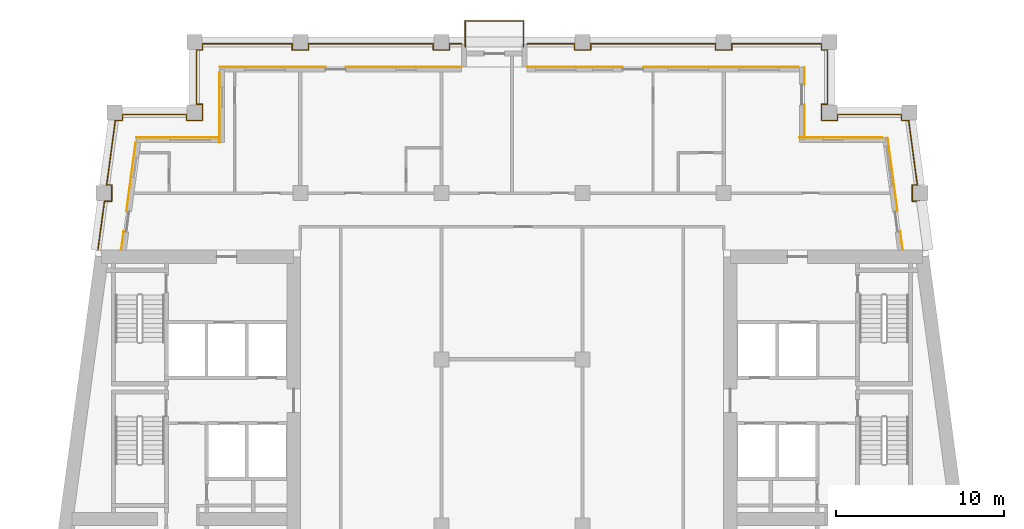
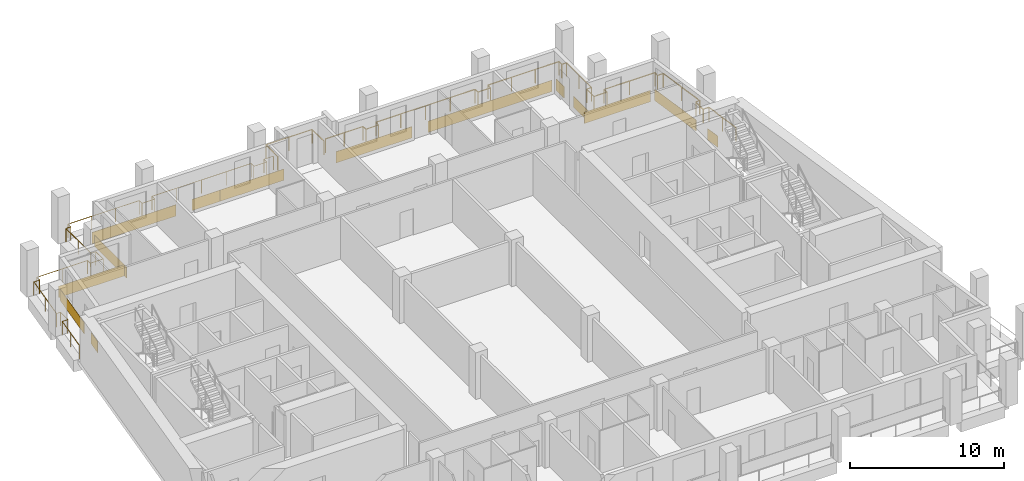
# One storey, part 11 of 12: 14 coverings, 3 railings.
"""IFC4 building model written with IfcOpenShell, lengths in metres."""

import ifcopenshell
import ifcopenshell.guid

model = None  # the IFC model being written
_history = None  # IfcOwnerHistory: only IFC2X3 demands one
_inside = {}  # id of a spatial element -> (the spatial element, [elements in it])
_under = {}  # id of a project, library or spatial element -> (it, [spatial elements below it])
_declared = {}  # id of a project -> (the project, [libraries it declares])
_typed = {}  # id of a type object -> (the type object, [elements of that type])
_made_of = {}  # id of a material, layer set ... -> (it, [elements and type objects made of it])


def new_model(schema):
    """Start an empty IFC model of exactly this schema.

    Asked for "IFC4X3", IfcOpenShell would pick the latest addendum, in which some entities
    have other attributes; the version numbers below select the first issue.
    IFC2X3 requires an IfcOwnerHistory on every rooted entity: one is made here for all.
    """
    global model, _history
    if schema == "IFC4X3":
        model = ifcopenshell.file(schema_version=(4, 3, 0, 0))
    else:
        model = ifcopenshell.file(schema=schema)
    _inside.clear()
    _under.clear()
    _declared.clear()
    _typed.clear()
    _made_of.clear()
    _history = None
    if model.schema == "IFC2X3":
        org = make("IfcOrganization", Name="unknown")
        user = make(
            "IfcPersonAndOrganization",
            ThePerson=make("IfcPerson", FamilyName="unknown"),
            TheOrganization=org,
        )
        app = make(
            "IfcApplication",
            ApplicationDeveloper=org,
            Version="unknown",
            ApplicationFullName="unknown",
            ApplicationIdentifier="unknown",
        )
        _history = make(
            "IfcOwnerHistory",
            OwningUser=user,
            OwningApplication=app,
            ChangeAction="ADDED",
            CreationDate=0,
        )
    return model


def make(cls, **values):
    """One entity of the class cls with the attributes given. An attribute that is None is left unset."""
    return model.create_entity(
        cls, **{name: value for name, value in values.items() if value is not None}
    )


def rooted(cls, **values):
    """An entity with a GlobalId (a new one), such as an element, a storey or a relation."""
    return make(cls, GlobalId=ifcopenshell.guid.new(), OwnerHistory=_history, **values)


def si_unit(unit_type, name, prefix=None):
    """IfcSIUnit, for example si_unit("LENGTHUNIT", "METRE", prefix="MILLI")."""
    return make("IfcSIUnit", UnitType=unit_type, Prefix=prefix, Name=name)


def assignment(units):
    """IfcUnitAssignment: the units of a project."""
    return None if units is None else make("IfcUnitAssignment", Units=units)


def point(xyz):
    """IfcCartesianPoint."""
    return None if xyz is None else make("IfcCartesianPoint", Coordinates=xyz)


def direction(xyz):
    """IfcDirection."""
    return None if xyz is None else make("IfcDirection", DirectionRatios=xyz)


def frame(location, z_axis=None, x_axis=None):
    """IfcAxis2Placement3D, a coordinate frame: its origin and axes. An axis left out is left unset."""
    return make(
        "IfcAxis2Placement3D",
        Location=point(location),
        Axis=direction(z_axis),
        RefDirection=direction(x_axis),
    )


def frame_2d(location, x_axis=None):
    """IfcAxis2Placement2D, a coordinate frame in the plane: its origin and x axis."""
    return make(
        "IfcAxis2Placement2D", Location=point(location), RefDirection=direction(x_axis)
    )


def origin():
    """The frame at (0, 0, 0) with its axes left unset."""
    return frame((0.0, 0.0, 0.0))


def origin_2d():
    """The frame at (0, 0) in the plane with its x axis left unset."""
    return frame_2d((0.0, 0.0))


def place(relative_to, where):
    """IfcLocalPlacement: puts the frame where relative to a parent placement (None: the world)."""
    return make(
        "IfcLocalPlacement", PlacementRelTo=relative_to, RelativePlacement=where
    )


def context(
    kind, dimensions, precision=None, world=None, true_north=None, identifier=None
):
    """IfcGeometricRepresentationContext, for example the 3D "Model" context."""
    return make(
        "IfcGeometricRepresentationContext",
        ContextIdentifier=identifier,
        ContextType=kind,
        CoordinateSpaceDimension=dimensions,
        Precision=precision,
        WorldCoordinateSystem=world,
        TrueNorth=true_north,
    )


def subcontext(parent, identifier, kind, view, scale=None):
    """IfcGeometricRepresentationSubContext, for example "Body" below "Model"."""
    return make(
        "IfcGeometricRepresentationSubContext",
        ContextIdentifier=identifier,
        ContextType=kind,
        ParentContext=parent,
        TargetScale=scale,
        TargetView=view,
    )


def project(units=None, contexts=None):
    """IfcProject with its units and contexts."""
    return rooted(
        "IfcProject",
        Name="project",
        RepresentationContexts=contexts,
        UnitsInContext=assignment(units),
    )


def spatial(cls, under=None, at=None, **own):
    """A site, building, storey or space (cls), placed at a placement, below another one or the project."""
    s = rooted(cls, ObjectPlacement=at, **own)
    if under is not None:
        _under.setdefault(under.id(), (under, []))[1].append(s)
    return s


def profile(cls, at=None, kind="AREA", **sizes):
    """A parametric profile (cls). Its sizes go by their IFC names, for example OverallWidth=200.0."""
    return make(cls, ProfileType=kind, Position=at, **sizes)


def rectangle(**sizes):
    """IfcRectangleProfileDef."""
    return profile("IfcRectangleProfileDef", **sizes)


def circle(**sizes):
    """IfcCircleProfileDef."""
    return profile("IfcCircleProfileDef", **sizes)


def extrude(swept, where, along, depth):
    """IfcExtrudedAreaSolid: the profile swept, set in the frame where, extruded along a direction by depth."""
    return make(
        "IfcExtrudedAreaSolid",
        SweptArea=swept,
        Position=where,
        ExtrudedDirection=direction(along),
        Depth=depth,
    )


def shape(context_of_items, identifier, shape_type, items):
    """IfcShapeRepresentation: the items that make up one representation, for example the "Body"."""
    return make(
        "IfcShapeRepresentation",
        ContextOfItems=context_of_items,
        RepresentationIdentifier=identifier,
        RepresentationType=shape_type,
        Items=items,
    )


def material(Name=None, Category=None):
    """IfcMaterial."""
    return make("IfcMaterial", Name=Name, Category=Category)


def layer(
    of_material, thickness, ventilated=None, Name=None, Category=None, Priority=None
):
    """IfcMaterialLayer: one layer of a wall or slab, of a material (None: an air gap)."""
    return make(
        "IfcMaterialLayer",
        Material=of_material,
        LayerThickness=thickness,
        IsVentilated=ventilated,
        Name=Name,
        Category=Category,
        Priority=Priority,
    )


def layer_set(layers, Name=None):
    """IfcMaterialLayerSet."""
    return make("IfcMaterialLayerSet", MaterialLayers=layers, LayerSetName=Name)


def made_of(thing, what):
    """Note that an element or type object is made of a material, layer set ...; save() writes the relation."""
    if what is not None:
        _made_of.setdefault(what.id(), (what, []))[1].append(thing)
    return thing


def type_object(cls, material=None, **own):
    """A type object (cls), such as IfcWallType, which elements share."""
    return made_of(rooted(cls, **own), material)


def element(
    cls,
    number,
    at=None,
    inside=None,
    cuts=None,
    type_object=None,
    material=None,
    context=None,
    identifier="Body",
    shape_type=None,
    held_by="IfcProductDefinitionShape",
    body=None,
    shapes=None,
    **own,
):
    """One element of the class cls, such as IfcWall. Its Tag is "e" and its number.

    at: its placement. inside: the storey or other place that contains it. cuts: it is an
    opening in that element (IfcRelVoidsElement). A single representation is given by context,
    identifier, shape_type and body (its items); several are given by shapes. held_by: the class
    of the entity that holds the representations. save() writes the other relations.
    """
    e = rooted(cls, Tag="e%d" % number, ObjectPlacement=at, **own)
    if body is not None:
        shapes = [shape(context, identifier, shape_type, body)]
    if shapes is not None:
        e.Representation = make(held_by, Representations=shapes)
    if inside is not None:
        _inside.setdefault(inside.id(), (inside, []))[1].append(e)
    if cuts is not None:
        rooted(
            "IfcRelVoidsElement", RelatingBuildingElement=cuts, RelatedOpeningElement=e
        )
    if type_object is not None:
        _typed.setdefault(type_object.id(), (type_object, []))[1].append(e)
    return made_of(e, material)


def aggregate(whole, parts):
    """IfcRelAggregates: a whole, such as a stair, and the parts it consists of."""
    return rooted("IfcRelAggregates", RelatingObject=whole, RelatedObjects=parts)


def save(model, path):
    """Write the relations noted so far, then the file.

    IfcRelAggregates (storeys below a building ...), IfcRelContainedInSpatialStructure (elements
    in a storey), IfcRelDefinesByType, IfcRelAssociatesMaterial and IfcRelDeclares: one each for
    every whole, place, type object, material and project.
    """
    for whole, parts in _under.values():
        aggregate(whole, parts)
    for where, things in _inside.values():
        rooted(
            "IfcRelContainedInSpatialStructure",
            RelatedElements=things,
            RelatingStructure=where,
        )
    for kind, things in _typed.values():
        rooted("IfcRelDefinesByType", RelatedObjects=things, RelatingType=kind)
    for what, things in _made_of.values():
        rooted("IfcRelAssociatesMaterial", RelatedObjects=things, RelatingMaterial=what)
    for by, libraries in _declared.values():
        rooted("IfcRelDeclares", RelatingContext=by, RelatedDefinitions=libraries)
    model.write(path)


model = new_model("IFC4")

# Units and contexts
model_context = context("Model", 3, precision=1e-05, world=origin(), true_north=direction((0.0, 1.0)))
body_context = subcontext(model_context, "Body", "Model", "MODEL_VIEW")
ifc_project = project(units=[si_unit("LENGTHUNIT", "METRE"), si_unit("AREAUNIT", "SQUARE_METRE"), si_unit("VOLUMEUNIT", "CUBIC_METRE"), si_unit("PLANEANGLEUNIT", "RADIAN"), si_unit("MASSUNIT", "GRAM", prefix="KILO")], contexts=[model_context])

# Site, building, storey
site_placement = place(None, origin())
site = spatial("IfcSite", under=ifc_project, at=site_placement, CompositionType="ELEMENT")
building_placement = place(site_placement, origin())
building = spatial("IfcBuilding", under=site, at=building_placement, Name="Candeia Pilgrim Tower and Theatre", CompositionType="ELEMENT")
storey_placement = place(building_placement, frame((0.0, 0.0, 231.800048828125)))
storey = spatial("IfcBuildingStorey", under=building, at=storey_placement, Name="L56", CompositionType="ELEMENT", Elevation=231.800048828125)

# Railings
ifc_material_1 = material(Name="Stainless steel balustrade", Category="steel")
railing_type = type_object("IfcRailingType", Name="G1 loggia guard 1100", PredefinedType="GUARDRAIL", material=ifc_material_1)
railing_1_placement = place(storey_placement, frame((88.758544921875, 132.449951171875, 0.0)))
element("IfcRailing", 1, at=railing_1_placement, inside=storey, type_object=railing_type, Name="Guard L56.2", PredefinedType="GUARDRAIL", context=body_context, shape_type="SweptSolid", body=[
    extrude(circle(Radius=0.02392578125, at=origin_2d()), frame((0.0, 0.0, 1.076171875), z_axis=(0.133450228179, 0.991055516406, 0.0), x_axis=(-0.991055516406, 0.133450228179, 0.0)), (0.0, 0.0, 1.0), 2.89599609375),
    extrude(circle(Radius=0.02392578125, at=origin_2d()), frame((0.386474609375, 2.8701171875, 1.076171875), z_axis=(1.0, 0.0, 0.0), x_axis=(0.0, 1.0, 0.0)), (0.0, 0.0, 1.0), 0.42333984375),
    extrude(circle(Radius=0.02392578125, at=origin_2d()), frame((0.809814453125, 2.8701171875, 1.076171875), z_axis=(0.0, 1.0, 0.0), x_axis=(-1.0, 0.0, 0.0)), (0.0, 0.0, 1.0), 0.9599609375),
    extrude(circle(Radius=0.02392578125, at=origin_2d()), frame((0.809814453125, 3.830078125, 1.076171875), z_axis=(-1.0, 0.0, 0.0), x_axis=(0.0, -1.0, 0.0)), (0.0, 0.0, 1.0), 0.294189453125),
    extrude(circle(Radius=0.02392578125, at=origin_2d()), frame((0.515625, 3.830078125, 1.076171875), z_axis=(0.133389399471, 0.991063705374, 0.0), x_axis=(-0.991063705374, 0.133389399471, 0.0)), (0.0, 0.0, 1.0), 3.874755859375),
    extrude(circle(Radius=0.02392578125, at=origin_2d()), frame((1.032470703125, 7.670166015625, 1.076171875), z_axis=(1.0, 0.0, 0.0), x_axis=(0.0, 1.0, 0.0)), (0.0, 0.0, 1.0), 0.423583984375),
    extrude(circle(Radius=0.02392578125, at=origin_2d()), frame((1.4560546875, 7.670166015625, 1.076171875), z_axis=(0.0, 1.0, 0.0), x_axis=(-1.0, 0.0, 0.0)), (0.0, 0.0, 1.0), 0.35986328125),
    extrude(circle(Radius=0.02392578125, at=origin_2d()), frame((1.4560546875, 8.030029296875, 1.076171875), z_axis=(1.0, 0.0, 0.0), x_axis=(0.0, 1.0, 0.0)), (0.0, 0.0, 1.0), 3.805419921875),
    extrude(circle(Radius=0.02392578125, at=origin_2d()), frame((5.261474609375, 8.030029296875, 1.076171875), z_axis=(0.0, -1.0, 0.0), x_axis=(1.0, 0.0, 0.0)), (0.0, 0.0, 1.0), 0.35986328125),
    extrude(circle(Radius=0.02392578125, at=origin_2d()), frame((5.261474609375, 7.670166015625, 1.076171875), z_axis=(1.0, 0.0, 0.0), x_axis=(0.0, 1.0, 0.0)), (0.0, 0.0, 1.0), 0.9599609375),
    extrude(circle(Radius=0.02392578125, at=origin_2d()), frame((6.221435546875, 7.670166015625, 1.076171875), z_axis=(0.0, 1.0, 0.0), x_axis=(-1.0, 0.0, 0.0)), (0.0, 0.0, 1.0), 0.9599609375),
    extrude(circle(Radius=0.02392578125, at=origin_2d()), frame((6.221435546875, 8.630126953125, 1.076171875), z_axis=(-1.0, 0.0, 0.0), x_axis=(0.0, -1.0, 0.0)), (0.0, 0.0, 1.0), 0.35986328125),
    extrude(circle(Radius=0.02392578125, at=origin_2d()), frame((5.861572265625, 8.630126953125, 1.076171875), z_axis=(0.0, 1.0, 0.0), x_axis=(-1.0, 0.0, 0.0)), (0.0, 0.0, 1.0), 3.239990234375),
    extrude(circle(Radius=0.02392578125, at=origin_2d()), frame((5.861572265625, 11.8701171875, 1.076171875), z_axis=(1.0, 0.0, 0.0), x_axis=(0.0, 1.0, 0.0)), (0.0, 0.0, 1.0), 0.35986328125),
    extrude(circle(Radius=0.02392578125, at=origin_2d()), frame((6.221435546875, 11.8701171875, 1.076171875), z_axis=(0.0, 1.0, 0.0), x_axis=(-1.0, 0.0, 0.0)), (0.0, 0.0, 1.0), 0.35986328125),
    extrude(circle(Radius=0.02392578125, at=origin_2d()), frame((6.221435546875, 12.22998046875, 1.076171875), z_axis=(1.0, 0.0, 0.0), x_axis=(0.0, 1.0, 0.0)), (0.0, 0.0, 1.0), 5.340087890625),
    extrude(circle(Radius=0.02392578125, at=origin_2d()), frame((11.5615234375, 12.22998046875, 1.076171875), z_axis=(0.0, -1.0, 0.0), x_axis=(1.0, 0.0, 0.0)), (0.0, 0.0, 1.0), 0.35986328125),
    extrude(circle(Radius=0.02392578125, at=origin_2d()), frame((11.5615234375, 11.8701171875, 1.076171875), z_axis=(1.0, 0.0, 0.0), x_axis=(0.0, 1.0, 0.0)), (0.0, 0.0, 1.0), 0.9599609375),
    extrude(circle(Radius=0.02392578125, at=origin_2d()), frame((12.521484375, 11.8701171875, 1.076171875), z_axis=(0.0, 1.0, 0.0), x_axis=(-1.0, 0.0, 0.0)), (0.0, 0.0, 1.0), 0.35986328125),
    extrude(circle(Radius=0.02392578125, at=origin_2d()), frame((12.521484375, 12.22998046875, 1.076171875), z_axis=(1.0, 0.0, 0.0), x_axis=(0.0, 1.0, 0.0)), (0.0, 0.0, 1.0), 7.43994140625),
    extrude(circle(Radius=0.02392578125, at=origin_2d()), frame((19.96142578125, 12.22998046875, 1.076171875), z_axis=(0.0, -1.0, 0.0), x_axis=(1.0, 0.0, 0.0)), (0.0, 0.0, 1.0), 0.35986328125),
    extrude(circle(Radius=0.02392578125, at=origin_2d()), frame((19.96142578125, 11.8701171875, 1.076171875), z_axis=(1.0, 0.0, 0.0), x_axis=(0.0, 1.0, 0.0)), (0.0, 0.0, 1.0), 0.9599609375),
    extrude(circle(Radius=0.02392578125, at=origin_2d()), frame((20.92138671875, 11.8701171875, 1.076171875), z_axis=(0.0, 1.0, 0.0), x_axis=(-1.0, 0.0, 0.0)), (0.0, 0.0, 1.0), 0.35986328125),
    extrude(circle(Radius=0.02392578125, at=origin_2d()), frame((20.92138671875, 12.22998046875, 1.076171875), z_axis=(1.0, 0.0, 0.0), x_axis=(0.0, 1.0, 0.0)), (0.0, 0.0, 1.0), 0.719970703125),
    extrude(circle(Radius=0.02099609375, at=origin_2d()), origin(), (0.0, 0.0, 1.0), 1.052001953125),
    extrude(circle(Radius=0.02099609375, at=origin_2d()), frame((0.193359375, 1.43505859375, 0.0)), (0.0, 0.0, 1.0), 1.052001953125),
    extrude(circle(Radius=0.02099609375, at=origin_2d()), frame((0.386474609375, 2.8701171875, 0.0)), (0.0, 0.0, 1.0), 1.052001953125),
    extrude(circle(Radius=0.02099609375, at=origin_2d()), frame((0.809814453125, 2.8701171875, 0.0)), (0.0, 0.0, 1.0), 1.052001953125),
    extrude(circle(Radius=0.02099609375, at=origin_2d()), frame((0.809814453125, 3.830078125, 0.0)), (0.0, 0.0, 1.0), 1.052001953125),
    extrude(circle(Radius=0.02099609375, at=origin_2d()), frame((0.515625, 3.830078125, 0.0)), (0.0, 0.0, 1.0), 1.052001953125),
    extrude(circle(Radius=0.02099609375, at=origin_2d()), frame((0.77392578125, 5.75, 0.0)), (0.0, 0.0, 1.0), 1.052001953125),
    extrude(circle(Radius=0.02099609375, at=origin_2d()), frame((1.032470703125, 7.670166015625, 0.0)), (0.0, 0.0, 1.0), 1.052001953125),
    extrude(circle(Radius=0.02099609375, at=origin_2d()), frame((1.4560546875, 7.670166015625, 0.0)), (0.0, 0.0, 1.0), 1.052001953125),
    extrude(circle(Radius=0.02099609375, at=origin_2d()), frame((1.4560546875, 8.030029296875, 0.0)), (0.0, 0.0, 1.0), 1.052001953125),
    extrude(circle(Radius=0.02099609375, at=origin_2d()), frame((3.35888671875, 8.030029296875, 0.0)), (0.0, 0.0, 1.0), 1.052001953125),
    extrude(circle(Radius=0.02099609375, at=origin_2d()), frame((5.261474609375, 8.030029296875, 0.0)), (0.0, 0.0, 1.0), 1.052001953125),
    extrude(circle(Radius=0.02099609375, at=origin_2d()), frame((5.261474609375, 7.670166015625, 0.0)), (0.0, 0.0, 1.0), 1.052001953125),
    extrude(circle(Radius=0.02099609375, at=origin_2d()), frame((6.221435546875, 7.670166015625, 0.0)), (0.0, 0.0, 1.0), 1.052001953125),
    extrude(circle(Radius=0.02099609375, at=origin_2d()), frame((6.221435546875, 8.630126953125, 0.0)), (0.0, 0.0, 1.0), 1.052001953125),
    extrude(circle(Radius=0.02099609375, at=origin_2d()), frame((5.861572265625, 8.630126953125, 0.0)), (0.0, 0.0, 1.0), 1.052001953125),
    extrude(circle(Radius=0.02099609375, at=origin_2d()), frame((5.861572265625, 10.25, 0.0)), (0.0, 0.0, 1.0), 1.052001953125),
    extrude(circle(Radius=0.02099609375, at=origin_2d()), frame((5.861572265625, 11.8701171875, 0.0)), (0.0, 0.0, 1.0), 1.052001953125),
    extrude(circle(Radius=0.02099609375, at=origin_2d()), frame((6.221435546875, 11.8701171875, 0.0)), (0.0, 0.0, 1.0), 1.052001953125),
    extrude(circle(Radius=0.02099609375, at=origin_2d()), frame((6.221435546875, 12.22998046875, 0.0)), (0.0, 0.0, 1.0), 1.052001953125),
    extrude(circle(Radius=0.02099609375, at=origin_2d()), frame((8.00146484375, 12.22998046875, 0.0)), (0.0, 0.0, 1.0), 1.052001953125),
    extrude(circle(Radius=0.02099609375, at=origin_2d()), frame((9.781494140625, 12.22998046875, 0.0)), (0.0, 0.0, 1.0), 1.052001953125),
    extrude(circle(Radius=0.02099609375, at=origin_2d()), frame((11.5615234375, 12.22998046875, 0.0)), (0.0, 0.0, 1.0), 1.052001953125),
    extrude(circle(Radius=0.02099609375, at=origin_2d()), frame((11.5615234375, 11.8701171875, 0.0)), (0.0, 0.0, 1.0), 1.052001953125),
    extrude(circle(Radius=0.02099609375, at=origin_2d()), frame((12.521484375, 11.8701171875, 0.0)), (0.0, 0.0, 1.0), 1.052001953125),
    extrude(circle(Radius=0.02099609375, at=origin_2d()), frame((12.521484375, 12.22998046875, 0.0)), (0.0, 0.0, 1.0), 1.052001953125),
    extrude(circle(Radius=0.02099609375, at=origin_2d()), frame((14.38134765625, 12.22998046875, 0.0)), (0.0, 0.0, 1.0), 1.052001953125),
    extrude(circle(Radius=0.02099609375, at=origin_2d()), frame((16.241455078125, 12.22998046875, 0.0)), (0.0, 0.0, 1.0), 1.052001953125),
    extrude(circle(Radius=0.02099609375, at=origin_2d()), frame((18.1015625, 12.22998046875, 0.0)), (0.0, 0.0, 1.0), 1.052001953125),
    extrude(circle(Radius=0.02099609375, at=origin_2d()), frame((19.96142578125, 12.22998046875, 0.0)), (0.0, 0.0, 1.0), 1.052001953125),
    extrude(circle(Radius=0.02099609375, at=origin_2d()), frame((19.96142578125, 11.8701171875, 0.0)), (0.0, 0.0, 1.0), 1.052001953125),
    extrude(circle(Radius=0.02099609375, at=origin_2d()), frame((20.92138671875, 11.8701171875, 0.0)), (0.0, 0.0, 1.0), 1.052001953125),
    extrude(circle(Radius=0.02099609375, at=origin_2d()), frame((20.92138671875, 12.22998046875, 0.0)), (0.0, 0.0, 1.0), 1.052001953125),
    extrude(circle(Radius=0.02099609375, at=origin_2d()), frame((21.641357421875, 12.22998046875, 0.0)), (0.0, 0.0, 1.0), 1.052001953125),
])
railing_2_placement = place(storey_placement, frame((114.300048828125, 144.679931640625, 0.0)))
element("IfcRailing", 2, at=railing_2_placement, inside=storey, type_object=railing_type, Name="Guard L56.3", PredefinedType="GUARDRAIL", context=body_context, shape_type="SweptSolid", body=[
    extrude(circle(Radius=0.02392578125, at=origin_2d()), frame((0.0, 0.0, 1.076171875), z_axis=(1.0, 0.0, 0.0), x_axis=(0.0, 1.0, 0.0)), (0.0, 0.0, 1.0), 2.820068359375),
    extrude(circle(Radius=0.02392578125, at=origin_2d()), frame((2.820068359375, 0.0, 1.076171875), z_axis=(0.0, -1.0, 0.0), x_axis=(1.0, 0.0, 0.0)), (0.0, 0.0, 1.0), 0.35986328125),
    extrude(circle(Radius=0.02392578125, at=origin_2d()), frame((2.820068359375, -0.35986328125, 1.076171875), z_axis=(1.0, 0.0, 0.0), x_axis=(0.0, 1.0, 0.0)), (0.0, 0.0, 1.0), 0.9599609375),
    extrude(circle(Radius=0.02392578125, at=origin_2d()), frame((3.780029296875, -0.35986328125, 1.076171875), z_axis=(0.0, 1.0, 0.0), x_axis=(-1.0, 0.0, 0.0)), (0.0, 0.0, 1.0), 0.35986328125),
    extrude(circle(Radius=0.02392578125, at=origin_2d()), frame((3.780029296875, 0.0, 1.076171875), z_axis=(1.0, 0.0, 0.0), x_axis=(0.0, 1.0, 0.0)), (0.0, 0.0, 1.0), 7.43994140625),
    extrude(circle(Radius=0.02392578125, at=origin_2d()), frame((11.219970703125, 0.0, 1.076171875), z_axis=(0.0, -1.0, 0.0), x_axis=(1.0, 0.0, 0.0)), (0.0, 0.0, 1.0), 0.35986328125),
    extrude(circle(Radius=0.02392578125, at=origin_2d()), frame((11.219970703125, -0.35986328125, 1.076171875), z_axis=(1.0, 0.0, 0.0), x_axis=(0.0, 1.0, 0.0)), (0.0, 0.0, 1.0), 0.9599609375),
    extrude(circle(Radius=0.02392578125, at=origin_2d()), frame((12.179931640625, -0.35986328125, 1.076171875), z_axis=(0.0, 1.0, 0.0), x_axis=(-1.0, 0.0, 0.0)), (0.0, 0.0, 1.0), 0.35986328125),
    extrude(circle(Radius=0.02392578125, at=origin_2d()), frame((12.179931640625, 0.0, 1.076171875), z_axis=(1.0, 0.0, 0.0), x_axis=(0.0, 1.0, 0.0)), (0.0, 0.0, 1.0), 5.340087890625),
    extrude(circle(Radius=0.02392578125, at=origin_2d()), frame((17.52001953125, 0.0, 1.076171875), z_axis=(0.0, -1.0, 0.0), x_axis=(1.0, 0.0, 0.0)), (0.0, 0.0, 1.0), 0.35986328125),
    extrude(circle(Radius=0.02392578125, at=origin_2d()), frame((17.52001953125, -0.35986328125, 1.076171875), z_axis=(1.0, 0.0, 0.0), x_axis=(0.0, 1.0, 0.0)), (0.0, 0.0, 1.0), 0.35986328125),
    extrude(circle(Radius=0.02392578125, at=origin_2d()), frame((17.8798828125, -0.35986328125, 1.076171875), z_axis=(0.0, -1.0, 0.0), x_axis=(1.0, 0.0, 0.0)), (0.0, 0.0, 1.0), 3.239990234375),
    extrude(circle(Radius=0.02392578125, at=origin_2d()), frame((17.8798828125, -3.599853515625, 1.076171875), z_axis=(-1.0, 0.0, 0.0), x_axis=(0.0, -1.0, 0.0)), (0.0, 0.0, 1.0), 0.35986328125),
    extrude(circle(Radius=0.02392578125, at=origin_2d()), frame((17.52001953125, -3.599853515625, 1.076171875), z_axis=(0.0, -1.0, 0.0), x_axis=(1.0, 0.0, 0.0)), (0.0, 0.0, 1.0), 0.9599609375),
    extrude(circle(Radius=0.02392578125, at=origin_2d()), frame((17.52001953125, -4.559814453125, 1.076171875), z_axis=(1.0, 0.0, 0.0), x_axis=(0.0, 1.0, 0.0)), (0.0, 0.0, 1.0), 0.9599609375),
    extrude(circle(Radius=0.02392578125, at=origin_2d()), frame((18.47998046875, -4.559814453125, 1.076171875), z_axis=(0.0, 1.0, 0.0), x_axis=(-1.0, 0.0, 0.0)), (0.0, 0.0, 1.0), 0.35986328125),
    extrude(circle(Radius=0.02392578125, at=origin_2d()), frame((18.47998046875, -4.199951171875, 1.076171875), z_axis=(1.0, 0.0, 0.0), x_axis=(0.0, 1.0, 0.0)), (0.0, 0.0, 1.0), 3.805419921875),
    extrude(circle(Radius=0.02392578125, at=origin_2d()), frame((22.285400390625, -4.199951171875, 1.076171875), z_axis=(0.0, -1.0, 0.0), x_axis=(1.0, 0.0, 0.0)), (0.0, 0.0, 1.0), 0.35986328125),
    extrude(circle(Radius=0.02392578125, at=origin_2d()), frame((22.285400390625, -4.559814453125, 1.076171875), z_axis=(1.0, 0.0, 0.0), x_axis=(0.0, 1.0, 0.0)), (0.0, 0.0, 1.0), 0.423583984375),
    extrude(circle(Radius=0.02392578125, at=origin_2d()), frame((22.708984375, -4.559814453125, 1.076171875), z_axis=(0.133389399471, -0.991063705374, 0.0), x_axis=(0.991063705374, 0.133389399471, 0.0)), (0.0, 0.0, 1.0), 3.874755859375),
    extrude(circle(Radius=0.02392578125, at=origin_2d()), frame((23.225830078125, -8.39990234375, 1.076171875), z_axis=(-1.0, 0.0, 0.0), x_axis=(0.0, -1.0, 0.0)), (0.0, 0.0, 1.0), 0.29443359375),
    extrude(circle(Radius=0.02392578125, at=origin_2d()), frame((22.931396484375, -8.39990234375, 1.076171875), z_axis=(0.0, -1.0, 0.0), x_axis=(1.0, 0.0, 0.0)), (0.0, 0.0, 1.0), 0.9599609375),
    extrude(circle(Radius=0.02392578125, at=origin_2d()), frame((22.931396484375, -9.35986328125, 1.076171875), z_axis=(1.0, 0.0, 0.0), x_axis=(0.0, 1.0, 0.0)), (0.0, 0.0, 1.0), 0.423583984375),
    extrude(circle(Radius=0.02392578125, at=origin_2d()), frame((23.35498046875, -9.35986328125, 1.076171875), z_axis=(0.133450228179, -0.991055516406, 0.0), x_axis=(0.991055516406, 0.133450228179, 0.0)), (0.0, 0.0, 1.0), 2.89599609375),
    extrude(circle(Radius=0.02099609375, at=origin_2d()), origin(), (0.0, 0.0, 1.0), 1.052001953125),
    extrude(circle(Radius=0.02099609375, at=origin_2d()), frame((1.41015625, 0.0, 0.0)), (0.0, 0.0, 1.0), 1.052001953125),
    extrude(circle(Radius=0.02099609375, at=origin_2d()), frame((2.820068359375, 0.0, 0.0)), (0.0, 0.0, 1.0), 1.052001953125),
    extrude(circle(Radius=0.02099609375, at=origin_2d()), frame((2.820068359375, -0.35986328125, 0.0)), (0.0, 0.0, 1.0), 1.052001953125),
    extrude(circle(Radius=0.02099609375, at=origin_2d()), frame((3.780029296875, -0.35986328125, 0.0)), (0.0, 0.0, 1.0), 1.052001953125),
    extrude(circle(Radius=0.02099609375, at=origin_2d()), frame((3.780029296875, 0.0, 0.0)), (0.0, 0.0, 1.0), 1.052001953125),
    extrude(circle(Radius=0.02099609375, at=origin_2d()), frame((5.64013671875, 0.0, 0.0)), (0.0, 0.0, 1.0), 1.052001953125),
    extrude(circle(Radius=0.02099609375, at=origin_2d()), frame((7.5, 0.0, 0.0)), (0.0, 0.0, 1.0), 1.052001953125),
    extrude(circle(Radius=0.02099609375, at=origin_2d()), frame((9.35986328125, 0.0, 0.0)), (0.0, 0.0, 1.0), 1.052001953125),
    extrude(circle(Radius=0.02099609375, at=origin_2d()), frame((11.219970703125, 0.0, 0.0)), (0.0, 0.0, 1.0), 1.052001953125),
    extrude(circle(Radius=0.02099609375, at=origin_2d()), frame((11.219970703125, -0.35986328125, 0.0)), (0.0, 0.0, 1.0), 1.052001953125),
    extrude(circle(Radius=0.02099609375, at=origin_2d()), frame((12.179931640625, -0.35986328125, 0.0)), (0.0, 0.0, 1.0), 1.052001953125),
    extrude(circle(Radius=0.02099609375, at=origin_2d()), frame((12.179931640625, 0.0, 0.0)), (0.0, 0.0, 1.0), 1.052001953125),
    extrude(circle(Radius=0.02099609375, at=origin_2d()), frame((13.9599609375, 0.0, 0.0)), (0.0, 0.0, 1.0), 1.052001953125),
    extrude(circle(Radius=0.02099609375, at=origin_2d()), frame((15.739990234375, 0.0, 0.0)), (0.0, 0.0, 1.0), 1.052001953125),
    extrude(circle(Radius=0.02099609375, at=origin_2d()), frame((17.52001953125, 0.0, 0.0)), (0.0, 0.0, 1.0), 1.052001953125),
    extrude(circle(Radius=0.02099609375, at=origin_2d()), frame((17.52001953125, -0.35986328125, 0.0)), (0.0, 0.0, 1.0), 1.052001953125),
    extrude(circle(Radius=0.02099609375, at=origin_2d()), frame((17.8798828125, -0.35986328125, 0.0)), (0.0, 0.0, 1.0), 1.052001953125),
    extrude(circle(Radius=0.02099609375, at=origin_2d()), frame((17.8798828125, -1.97998046875, 0.0)), (0.0, 0.0, 1.0), 1.052001953125),
    extrude(circle(Radius=0.02099609375, at=origin_2d()), frame((17.8798828125, -3.599853515625, 0.0)), (0.0, 0.0, 1.0), 1.052001953125),
    extrude(circle(Radius=0.02099609375, at=origin_2d()), frame((17.52001953125, -3.599853515625, 0.0)), (0.0, 0.0, 1.0), 1.052001953125),
    extrude(circle(Radius=0.02099609375, at=origin_2d()), frame((17.52001953125, -4.559814453125, 0.0)), (0.0, 0.0, 1.0), 1.052001953125),
    extrude(circle(Radius=0.02099609375, at=origin_2d()), frame((18.47998046875, -4.559814453125, 0.0)), (0.0, 0.0, 1.0), 1.052001953125),
    extrude(circle(Radius=0.02099609375, at=origin_2d()), frame((18.47998046875, -4.199951171875, 0.0)), (0.0, 0.0, 1.0), 1.052001953125),
    extrude(circle(Radius=0.02099609375, at=origin_2d()), frame((20.3828125, -4.199951171875, 0.0)), (0.0, 0.0, 1.0), 1.052001953125),
    extrude(circle(Radius=0.02099609375, at=origin_2d()), frame((22.285400390625, -4.199951171875, 0.0)), (0.0, 0.0, 1.0), 1.052001953125),
    extrude(circle(Radius=0.02099609375, at=origin_2d()), frame((22.285400390625, -4.559814453125, 0.0)), (0.0, 0.0, 1.0), 1.052001953125),
    extrude(circle(Radius=0.02099609375, at=origin_2d()), frame((22.708984375, -4.559814453125, 0.0)), (0.0, 0.0, 1.0), 1.052001953125),
    extrude(circle(Radius=0.02099609375, at=origin_2d()), frame((22.96728515625, -6.47998046875, 0.0)), (0.0, 0.0, 1.0), 1.052001953125),
    extrude(circle(Radius=0.02099609375, at=origin_2d()), frame((23.225830078125, -8.39990234375, 0.0)), (0.0, 0.0, 1.0), 1.052001953125),
    extrude(circle(Radius=0.02099609375, at=origin_2d()), frame((22.931396484375, -8.39990234375, 0.0)), (0.0, 0.0, 1.0), 1.052001953125),
    extrude(circle(Radius=0.02099609375, at=origin_2d()), frame((22.931396484375, -9.35986328125, 0.0)), (0.0, 0.0, 1.0), 1.052001953125),
    extrude(circle(Radius=0.02099609375, at=origin_2d()), frame((23.35498046875, -9.35986328125, 0.0)), (0.0, 0.0, 1.0), 1.052001953125),
    extrude(circle(Radius=0.02099609375, at=origin_2d()), frame((23.54833984375, -10.794921875, 0.0)), (0.0, 0.0, 1.0), 1.052001953125),
    extrude(circle(Radius=0.02099609375, at=origin_2d()), frame((23.741455078125, -12.22998046875, 0.0)), (0.0, 0.0, 1.0), 1.052001953125),
])
railing_3_placement = place(storey_placement, frame((110.610107421875, 144.5, 0.0)))
element("IfcRailing", 3, at=railing_3_placement, inside=storey, type_object=railing_type, Name="Balcony guard L56", PredefinedType="GUARDRAIL", context=body_context, shape_type="SweptSolid", body=[
    extrude(circle(Radius=0.02392578125, at=origin_2d()), frame((0.0, 0.0, 1.076171875), z_axis=(0.0, 1.0, 0.0), x_axis=(-1.0, 0.0, 0.0)), (0.0, 0.0, 1.0), 1.5400390625),
    extrude(circle(Radius=0.02392578125, at=origin_2d()), frame((0.0, 1.5400390625, 1.076171875), z_axis=(1.0, 0.0, 0.0), x_axis=(0.0, 1.0, 0.0)), (0.0, 0.0, 1.0), 3.47998046875),
    extrude(circle(Radius=0.02392578125, at=origin_2d()), frame((3.47998046875, 1.5400390625, 1.076171875), z_axis=(0.0, -1.0, 0.0), x_axis=(1.0, 0.0, 0.0)), (0.0, 0.0, 1.0), 1.5400390625),
    extrude(circle(Radius=0.02099609375, at=origin_2d()), origin(), (0.0, 0.0, 1.0), 1.052001953125),
    extrude(circle(Radius=0.02099609375, at=origin_2d()), frame((0.0, 1.5400390625, 0.0)), (0.0, 0.0, 1.0), 1.052001953125),
    extrude(circle(Radius=0.02099609375, at=origin_2d()), frame((1.739990234375, 1.5400390625, 0.0)), (0.0, 0.0, 1.0), 1.052001953125),
    extrude(circle(Radius=0.02099609375, at=origin_2d()), frame((3.47998046875, 1.5400390625, 0.0)), (0.0, 0.0, 1.0), 1.052001953125),
    extrude(circle(Radius=0.02099609375, at=origin_2d()), frame((3.47998046875, 0.0, 0.0)), (0.0, 0.0, 1.0), 1.052001953125),
])

# Coverings
ifc_material_2 = material(Name="Glazed ceramic tile bottle green")
ifc_layer_1 = layer(ifc_material_2, 0.02001953125)
ifc_layer_set_1 = layer_set([ifc_layer_1], Name="Glazed ceramic tile bottle green")
covering_type_1 = type_object("IfcCoveringType", Name="Glazed ceramic tile bottle green", PredefinedType="CLADDING", material=ifc_layer_set_1)
covering_1_placement = place(storey_placement, frame((136.588623046875, 132.97412109375, 0.0), z_axis=(0.0, 0.0, 1.0), x_axis=(-0.133412012145, 0.991060661622, 0.0)))
element("IfcCovering", 4, at=covering_1_placement, inside=storey, type_object=covering_type_1, Name="Tile cladding bottle green L56", PredefinedType="CLADDING", context=body_context, shape_type="SweptSolid", body=[
    extrude(rectangle(XDim=1.115234375, YDim=0.02001953125, at=origin_2d()), origin(), (0.0, 0.0, 1.0), 0.89990234375),
])
covering_2_placement = place(storey_placement, frame((136.058837890625, 136.90869140625, 0.0), z_axis=(0.0, 0.0, 1.0), x_axis=(-0.133412012145, 0.991060661622, 0.0)))
element("IfcCovering", 5, at=covering_2_placement, inside=storey, type_object=covering_type_1, Name="Tile cladding bottle green L56", PredefinedType="CLADDING", context=body_context, shape_type="SweptSolid", body=[
    extrude(rectangle(XDim=4.4248046875, YDim=0.02001953125, at=origin_2d()), origin(), (0.0, 0.0, 1.0), 0.89990234375),
])
covering_3_placement = place(storey_placement, frame((132.976318359375, 139.110107421875, 0.0), z_axis=(0.0, 0.0, 1.0), x_axis=(-1.0, 0.0, 0.0)))
element("IfcCovering", 6, at=covering_3_placement, inside=storey, type_object=covering_type_1, Name="Tile cladding bottle green L56", PredefinedType="CLADDING", context=body_context, shape_type="SweptSolid", body=[
    extrude(rectangle(XDim=4.95263671875, YDim=0.02001953125, at=origin_2d()), origin(), (0.0, 0.0, 1.0), 0.89990234375),
])
covering_4_placement = place(storey_placement, frame((130.81005859375, 140.0849609375, 0.0), z_axis=(0.0, 0.0, 1.0), x_axis=(0.0, 1.0, 0.0)))
element("IfcCovering", 7, at=covering_4_placement, inside=storey, type_object=covering_type_1, Name="Tile cladding bottle green L56", PredefinedType="CLADDING", context=body_context, shape_type="SweptSolid", body=[
    extrude(rectangle(XDim=1.929931640625, YDim=0.02001953125, at=origin_2d()), origin(), (0.0, 0.0, 1.0), 0.89990234375),
])
covering_5_placement = place(storey_placement, frame((130.81005859375, 142.77490234375, 0.0), z_axis=(0.0, 0.0, 1.0), x_axis=(0.0, 1.0, 0.0)))
element("IfcCovering", 8, at=covering_5_placement, inside=storey, type_object=covering_type_1, Name="Tile cladding bottle green L56", PredefinedType="CLADDING", context=body_context, shape_type="SweptSolid", body=[
    extrude(rectangle(XDim=1.050048828125, YDim=0.02001953125, at=origin_2d()), origin(), (0.0, 0.0, 1.0), 0.89990234375),
])
covering_6_placement = place(storey_placement, frame((125.840087890625, 143.31005859375, 0.0), z_axis=(0.0, 0.0, 1.0), x_axis=(-1.0, 0.0, 0.0)))
element("IfcCovering", 9, at=covering_6_placement, inside=storey, type_object=covering_type_1, Name="Tile cladding bottle green L56", PredefinedType="CLADDING", context=body_context, shape_type="SweptSolid", body=[
    extrude(rectangle(XDim=9.280029296875, YDim=0.02001953125, at=origin_2d()), origin(), (0.0, 0.0, 1.0), 0.89990234375),
])
covering_7_placement = place(storey_placement, frame((117.14990234375, 143.31005859375, 0.0), z_axis=(0.0, 0.0, 1.0), x_axis=(-1.0, 0.0, 0.0)))
element("IfcCovering", 10, at=covering_7_placement, inside=storey, type_object=covering_type_1, Name="Tile cladding bottle green L56", PredefinedType="CLADDING", context=body_context, shape_type="SweptSolid", body=[
    extrude(rectangle(XDim=5.699951171875, YDim=0.02001953125, at=origin_2d()), origin(), (0.0, 0.0, 1.0), 0.89990234375),
])
covering_8_placement = place(storey_placement, frame((108.0, 143.31005859375, 0.0), z_axis=(0.0, 0.0, 1.0), x_axis=(-1.0, 0.0, 0.0)))
element("IfcCovering", 11, at=covering_8_placement, inside=storey, type_object=covering_type_1, Name="Tile cladding bottle green L56", PredefinedType="CLADDING", context=body_context, shape_type="SweptSolid", body=[
    extrude(rectangle(XDim=4.800048828125, YDim=0.02001953125, at=origin_2d()), origin(), (0.0, 0.0, 1.0), 0.89990234375),
])
covering_9_placement = place(storey_placement, frame((95.989990234375, 140.889892578125, 0.0), z_axis=(0.0, 0.0, 1.0), x_axis=(0.0, -1.0, 0.0)))
element("IfcCovering", 12, at=covering_9_placement, inside=storey, type_object=covering_type_1, Name="Tile cladding bottle green L56", PredefinedType="CLADDING", context=body_context, shape_type="SweptSolid", body=[
    extrude(rectangle(XDim=4.179931640625, YDim=0.02001953125, at=origin_2d()), origin(), (0.0, 0.0, 1.0), 0.89990234375),
])
covering_10_placement = place(storey_placement, frame((90.720947265625, 136.759521484375, 0.0), z_axis=(0.0, 0.0, 1.0), x_axis=(-0.133412012145, -0.991060661622, 0.0)))
element("IfcCovering", 13, at=covering_10_placement, inside=storey, type_object=covering_type_1, Name="Tile cladding bottle green L56", PredefinedType="CLADDING", context=body_context, shape_type="SweptSolid", body=[
    extrude(rectangle(XDim=4.123779296875, YDim=0.02001953125, at=origin_2d()), origin(), (0.0, 0.0, 1.0), 0.89990234375),
])
covering_11_placement = place(storey_placement, frame((90.21142578125, 132.97412109375, 0.0), z_axis=(0.0, 0.0, 1.0), x_axis=(-0.133412012145, -0.991060661622, 0.0)))
element("IfcCovering", 14, at=covering_11_placement, inside=storey, type_object=covering_type_1, Name="Tile cladding bottle green L56", PredefinedType="CLADDING", context=body_context, shape_type="SweptSolid", body=[
    extrude(rectangle(XDim=1.115234375, YDim=0.02001953125, at=origin_2d()), origin(), (0.0, 0.0, 1.0), 0.89990234375),
])
ifc_material_3 = material(Name="Glazed ceramic tile rust")
ifc_layer_2 = layer(ifc_material_3, 0.02001953125)
ifc_layer_set_2 = layer_set([ifc_layer_2], Name="Glazed ceramic tile rust")
covering_type_2 = type_object("IfcCoveringType", Name="Glazed ceramic tile rust", PredefinedType="CLADDING", material=ifc_layer_set_2)
covering_12_placement = place(storey_placement, frame((104.550048828125, 143.31005859375, 0.0), z_axis=(0.0, 0.0, 1.0), x_axis=(-1.0, 0.0, 0.0)))
element("IfcCovering", 15, at=covering_12_placement, inside=storey, type_object=covering_type_2, Name="Tile cladding rust L56", PredefinedType="CLADDING", context=body_context, shape_type="SweptSolid", body=[
    extrude(rectangle(XDim=2.10009765625, YDim=0.02001953125, at=origin_2d()), origin(), (0.0, 0.0, 1.0), 0.89990234375),
])
covering_13_placement = place(storey_placement, frame((99.14990234375, 143.31005859375, 0.0), z_axis=(0.0, 0.0, 1.0), x_axis=(-1.0, 0.0, 0.0)))
element("IfcCovering", 16, at=covering_13_placement, inside=storey, type_object=covering_type_2, Name="Tile cladding rust L56", PredefinedType="CLADDING", context=body_context, shape_type="SweptSolid", body=[
    extrude(rectangle(XDim=6.300048828125, YDim=0.02001953125, at=origin_2d()), origin(), (0.0, 0.0, 1.0), 0.89990234375),
])
covering_14_placement = place(storey_placement, frame((93.51318359375, 139.110107421875, 0.0), z_axis=(0.0, 0.0, 1.0), x_axis=(-1.0, 0.0, 0.0)))
element("IfcCovering", 17, at=covering_14_placement, inside=storey, type_object=covering_type_2, Name="Tile cladding rust L56", PredefinedType="CLADDING", context=body_context, shape_type="SweptSolid", body=[
    extrude(rectangle(XDim=4.933837890625, YDim=0.02001953125, at=origin_2d()), origin(), (0.0, 0.0, 1.0), 0.89990234375),
])

save(model, "model.ifc")
